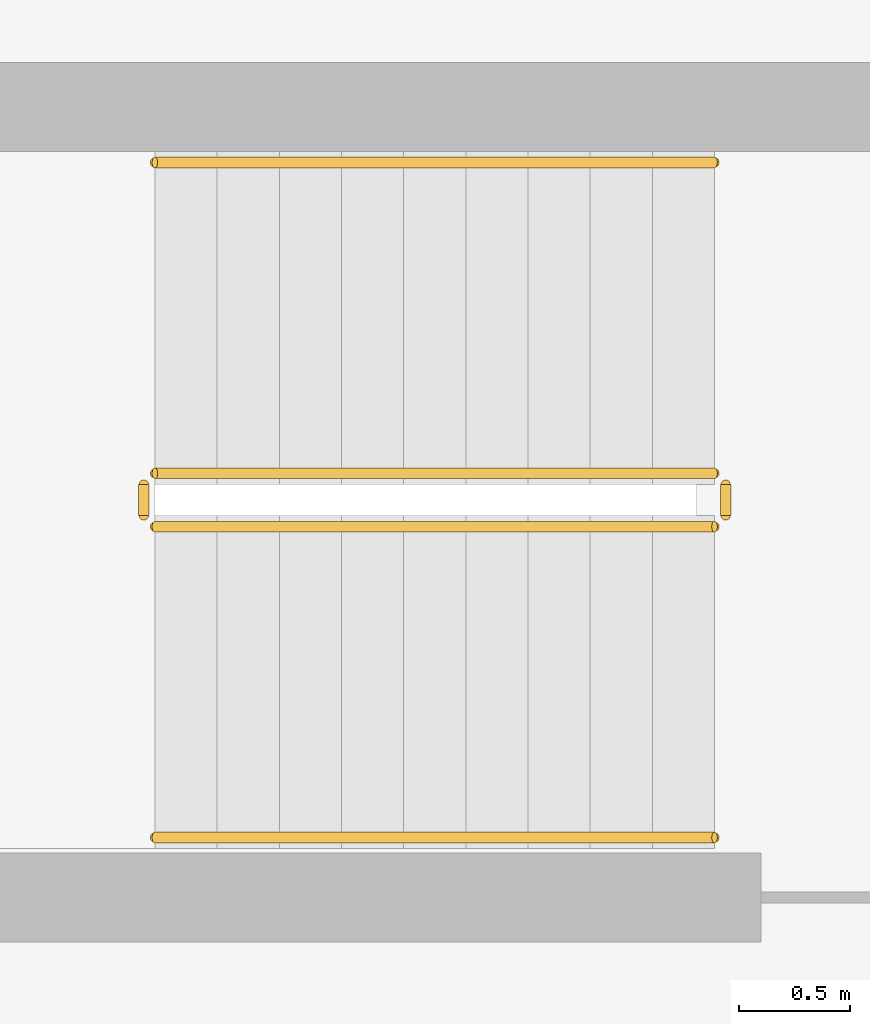
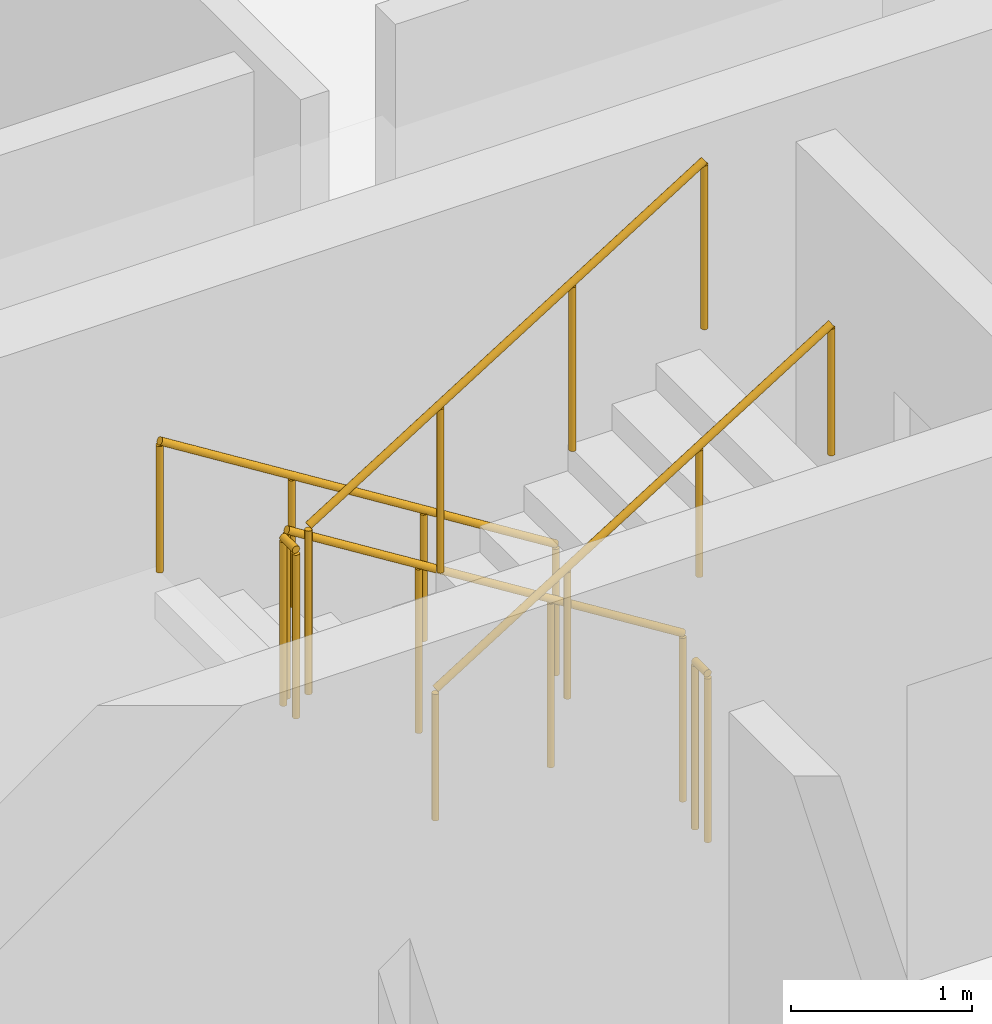
# One storey, part 13 of 14: 6 railings.
"""IFC4 building model written with IfcOpenShell, lengths in metres."""

from ifc_helpers import new_model, si_unit, derived_unit, direction, frame, origin, origin_2d, place, context, subcontext, project, spatial, circle, extrude, material, type_object, element, save


model = new_model("IFC4")

# Units and contexts
model_context = context("Model", 3, precision=1e-05, world=origin(), true_north=direction((0.0, 1.0)))
body_context = subcontext(model_context, "Body", "Model", "MODEL_VIEW")
ifc_project = project(units=[si_unit("LENGTHUNIT", "METRE"), si_unit("AREAUNIT", "SQUARE_METRE"), si_unit("VOLUMEUNIT", "CUBIC_METRE"), si_unit("PLANEANGLEUNIT", "RADIAN"), si_unit("MASSUNIT", "GRAM", prefix="KILO"), derived_unit("THERMALTRANSMITTANCEUNIT", [(si_unit("POWERUNIT", "WATT"), 1), (si_unit("LENGTHUNIT", "METRE"), -2), (si_unit("THERMODYNAMICTEMPERATUREUNIT", "KELVIN"), -1)])], contexts=[model_context])

# Site, building, storey
site_placement = place(None, origin())
site = spatial("IfcSite", under=ifc_project, at=site_placement, CompositionType="ELEMENT")
building_placement = place(site_placement, origin())
building = spatial("IfcBuilding", under=site, at=building_placement, Name="Kivonza Crest Hotel", CompositionType="ELEMENT")
storey_placement = place(building_placement, frame((0.0, 0.0, 169.5)))
storey = spatial("IfcBuildingStorey", under=building, at=storey_placement, Name="L46", CompositionType="ELEMENT", Elevation=169.5)

# Railings
ifc_material_1 = material(Name="Brushed stainless steel handrail", Category="steel")
railing_type_1 = type_object("IfcRailingType", Name="RL-HAND-900", PredefinedType="HANDRAIL", material=ifc_material_1)
railing_1_placement = place(storey_placement, frame((12.239990234375, 36.110107421875, 0.175048828125)))
element("IfcRailing", 1, at=railing_1_placement, inside=storey, type_object=railing_type_1, Name="L46 ST-T1-N stair handrail 1", PredefinedType="HANDRAIL", context=body_context, shape_type="SweptSolid", body=[
    extrude(circle(Radius=0.02392578125, at=origin_2d()), frame((0.0, 0.0, 0.8759765625), z_axis=(-0.848007534815, 0.0, 0.529984170421), x_axis=(0.0, -1.0, 0.0)), (0.0, 0.0, 1.0), 2.9716796875),
    extrude(circle(Radius=0.02099609375, at=origin_2d()), origin(), (0.0, 0.0, 1.0), 0.851806640625),
    extrude(circle(Radius=0.02099609375, at=origin_2d()), frame((-0.840087890625, 0.0, 0.52490234375)), (0.0, 0.0, 1.0), 0.851806640625),
    extrude(circle(Radius=0.02099609375, at=origin_2d()), frame((-1.679931640625, 0.0, 1.050048828125)), (0.0, 0.0, 1.0), 0.851806640625),
    extrude(circle(Radius=0.02099609375, at=origin_2d()), frame((-2.52001953125, 0.0, 1.574951171875)), (0.0, 0.0, 1.0), 0.851806640625),
])
railing_2_placement = place(storey_placement, frame((9.719970703125, 33.070068359375, 1.925048828125)))
element("IfcRailing", 2, at=railing_2_placement, inside=storey, type_object=railing_type_1, Name="L46 ST-T1-N stair handrail 2", PredefinedType="HANDRAIL", context=body_context, shape_type="SweptSolid", body=[
    extrude(circle(Radius=0.02392578125, at=origin_2d()), frame((0.0, 0.0, 0.8759765625), z_axis=(0.848007534815, 0.0, 0.529984170421), x_axis=(0.0, 1.0, 0.0)), (0.0, 0.0, 1.0), 2.9716796875),
    extrude(circle(Radius=0.02099609375, at=origin_2d()), origin(), (0.0, 0.0, 1.0), 0.851806640625),
    extrude(circle(Radius=0.02099609375, at=origin_2d()), frame((0.840087890625, 0.0, 0.52490234375)), (0.0, 0.0, 1.0), 0.851806640625),
    extrude(circle(Radius=0.02099609375, at=origin_2d()), frame((1.679931640625, 0.0, 1.050048828125)), (0.0, 0.0, 1.0), 0.851806640625),
    extrude(circle(Radius=0.02099609375, at=origin_2d()), frame((2.52001953125, 0.0, 1.574951171875)), (0.0, 0.0, 1.0), 0.851806640625),
])
ifc_material_2 = material(Name="Painted steel balustrade", Category="steel")
railing_type_2 = type_object("IfcRailingType", Name="RL-STAIR-1150", PredefinedType="BALUSTRADE", material=ifc_material_2)
railing_3_placement = place(storey_placement, frame((12.239990234375, 34.7099609375, 0.175048828125)))
element("IfcRailing", 3, at=railing_3_placement, inside=storey, type_object=railing_type_2, Name="L46 ST-T1-N stair guard 1", PredefinedType="BALUSTRADE", context=body_context, shape_type="SweptSolid", body=[
    extrude(circle(Radius=0.02392578125, at=origin_2d()), frame((0.0, 0.0, 1.1259765625), z_axis=(-0.848007534815, 0.0, 0.529984170421), x_axis=(0.0, -1.0, 0.0)), (0.0, 0.0, 1.0), 2.9716796875),
    extrude(circle(Radius=0.02099609375, at=origin_2d()), origin(), (0.0, 0.0, 1.0), 1.101806640625),
    extrude(circle(Radius=0.02099609375, at=origin_2d()), frame((-0.840087890625, 0.0, 0.52490234375)), (0.0, 0.0, 1.0), 1.101806640625),
    extrude(circle(Radius=0.02099609375, at=origin_2d()), frame((-1.679931640625, 0.0, 1.050048828125)), (0.0, 0.0, 1.0), 1.101806640625),
    extrude(circle(Radius=0.02099609375, at=origin_2d()), frame((-2.52001953125, 0.0, 1.574951171875)), (0.0, 0.0, 1.0), 1.101806640625),
])
railing_4_placement = place(storey_placement, frame((9.669921875, 34.659912109375, 1.75)))
element("IfcRailing", 4, at=railing_4_placement, inside=storey, type_object=railing_type_2, Name="L46 ST-T1-N stair guard 2", PredefinedType="BALUSTRADE", context=body_context, shape_type="SweptSolid", body=[
    extrude(circle(Radius=0.02392578125, at=origin_2d()), frame((0.0, 0.0, 1.1259765625), z_axis=(0.0, -1.0, 0.0), x_axis=(1.0, 0.0, 0.0)), (0.0, 0.0, 1.0), 0.139892578125),
    extrude(circle(Radius=0.02099609375, at=origin_2d()), origin(), (0.0, 0.0, 1.0), 1.101806640625),
    extrude(circle(Radius=0.02099609375, at=origin_2d()), frame((0.0, -0.139892578125, 0.0)), (0.0, 0.0, 1.0), 1.101806640625),
])
railing_5_placement = place(storey_placement, frame((9.719970703125, 34.469970703125, 1.925048828125)))
element("IfcRailing", 5, at=railing_5_placement, inside=storey, type_object=railing_type_2, Name="L46 ST-T1-N stair guard 3", PredefinedType="BALUSTRADE", context=body_context, shape_type="SweptSolid", body=[
    extrude(circle(Radius=0.02392578125, at=origin_2d()), frame((0.0, 0.0, 1.1259765625), z_axis=(0.848007534815, 0.0, 0.529984170421), x_axis=(0.0, 1.0, 0.0)), (0.0, 0.0, 1.0), 2.9716796875),
    extrude(circle(Radius=0.02099609375, at=origin_2d()), origin(), (0.0, 0.0, 1.0), 1.101806640625),
    extrude(circle(Radius=0.02099609375, at=origin_2d()), frame((0.840087890625, 0.0, 0.52490234375)), (0.0, 0.0, 1.0), 1.101806640625),
    extrude(circle(Radius=0.02099609375, at=origin_2d()), frame((1.679931640625, 0.0, 1.050048828125)), (0.0, 0.0, 1.0), 1.101806640625),
    extrude(circle(Radius=0.02099609375, at=origin_2d()), frame((2.52001953125, 0.0, 1.574951171875)), (0.0, 0.0, 1.0), 1.101806640625),
])
railing_6_placement = place(storey_placement, frame((12.2900390625, 34.659912109375, 0.0)))
element("IfcRailing", 6, at=railing_6_placement, inside=storey, type_object=railing_type_2, Name="L46 ST-T1-N stair guard 4", PredefinedType="BALUSTRADE", context=body_context, shape_type="SweptSolid", body=[
    extrude(circle(Radius=0.02392578125, at=origin_2d()), frame((0.0, 0.0, 1.1259765625), z_axis=(0.0, -1.0, 0.0), x_axis=(1.0, 0.0, 0.0)), (0.0, 0.0, 1.0), 0.139892578125),
    extrude(circle(Radius=0.02099609375, at=origin_2d()), origin(), (0.0, 0.0, 1.0), 1.101806640625),
    extrude(circle(Radius=0.02099609375, at=origin_2d()), frame((0.0, -0.139892578125, 0.0)), (0.0, 0.0, 1.0), 1.101806640625),
])

save(model, "model.ifc")
